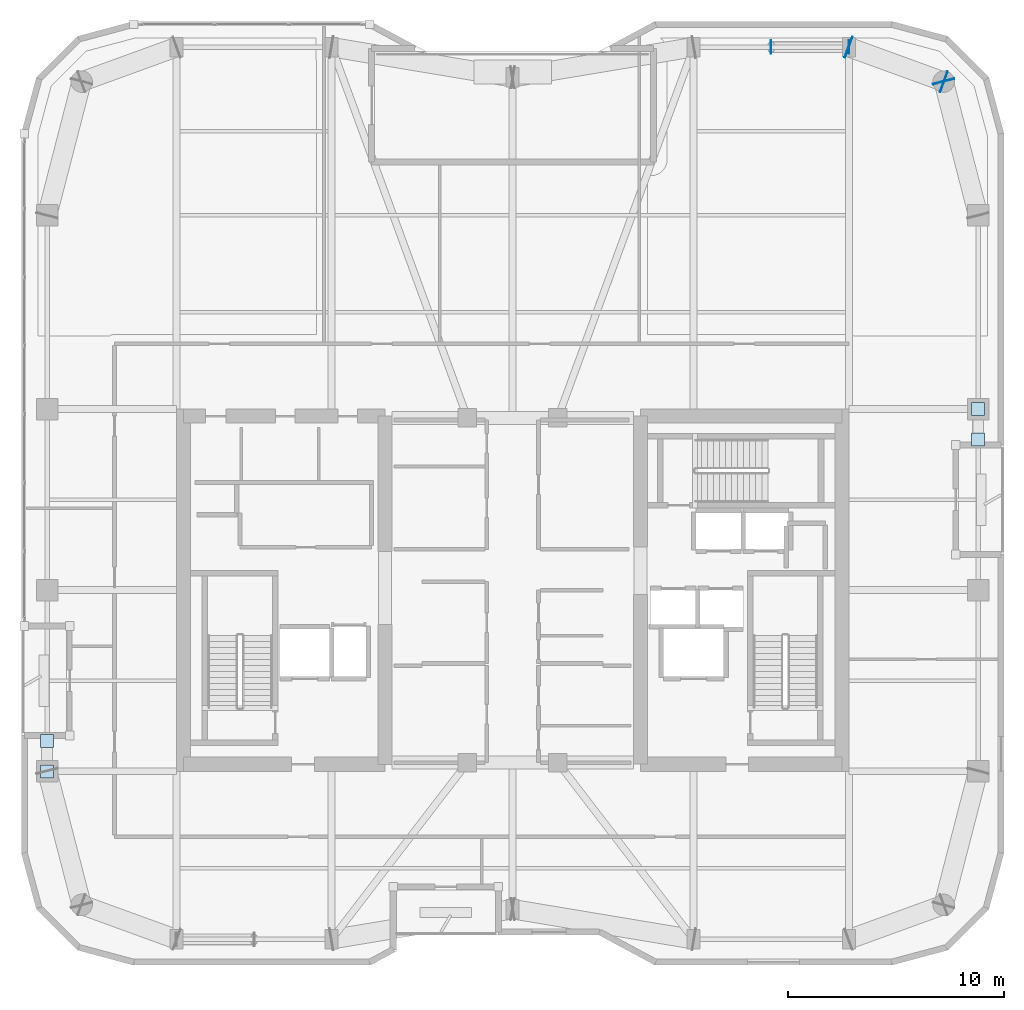
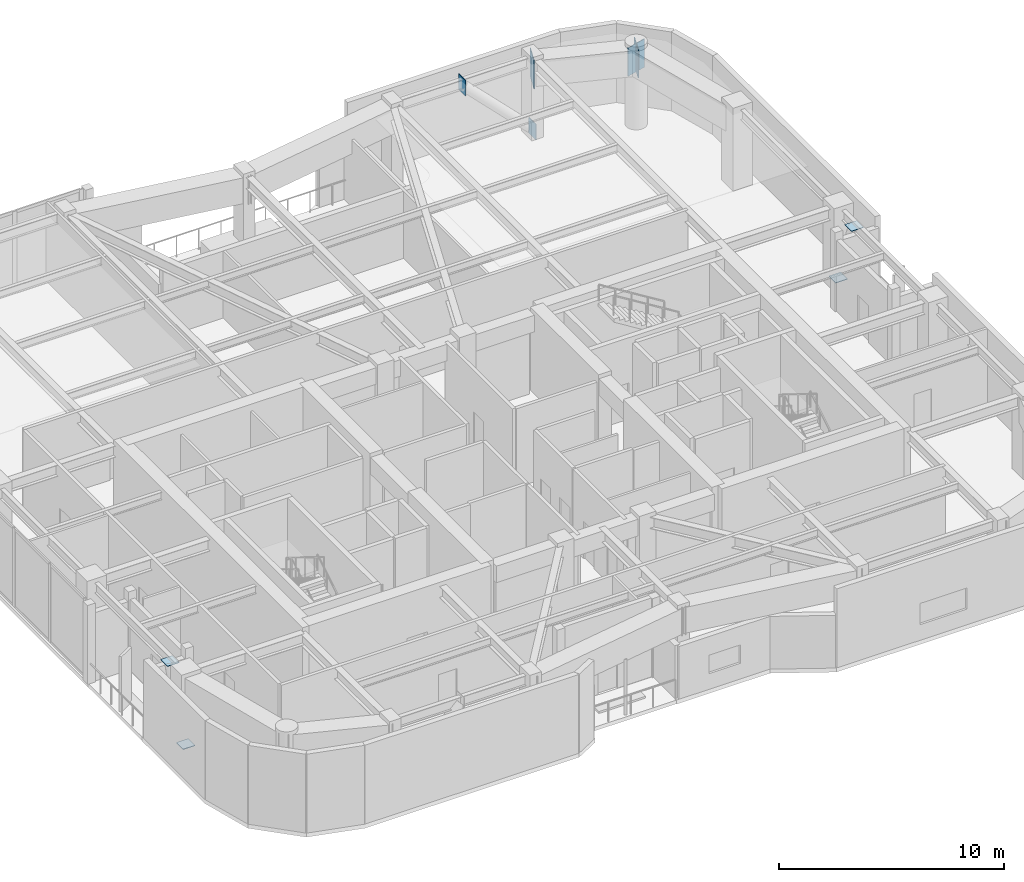
# One storey, part 12 of 19: 9 plates.
"""IFC4 building model written with IfcOpenShell, lengths in metres."""

from ifc_helpers import new_model, si_unit, direction, frame, origin, origin_2d, place, context, subcontext, project, spatial, rectangle, extrude, material, layer, layer_set, type_object, element, save


model = new_model("IFC4")

# Units and contexts
model_context = context("Model", 3, precision=1e-05, world=origin(), true_north=direction((0.0, 1.0)))
body_context = subcontext(model_context, "Body", "Model", "MODEL_VIEW")
ifc_project = project(units=[si_unit("LENGTHUNIT", "METRE"), si_unit("AREAUNIT", "SQUARE_METRE"), si_unit("VOLUMEUNIT", "CUBIC_METRE"), si_unit("PLANEANGLEUNIT", "RADIAN"), si_unit("MASSUNIT", "GRAM", prefix="KILO")], contexts=[model_context])

# Site, building, storey
site_placement = place(None, origin())
site = spatial("IfcSite", under=ifc_project, at=site_placement, CompositionType="ELEMENT")
building_placement = place(site_placement, origin())
building = spatial("IfcBuilding", under=site, at=building_placement, Name="Kiyonajd Concourse Tower", CompositionType="ELEMENT")
storey_placement = place(building_placement, frame((0.0, 0.0, 238.800048828125)))
storey = spatial("IfcBuildingStorey", under=building, at=storey_placement, Name="L60", CompositionType="ELEMENT", Elevation=238.800048828125)

# Plates
ifc_material = material(Name="Steel ASTM A572 Grade 50", Category="steel")
ifc_layer_1 = layer(ifc_material, 0.028076171875)
ifc_layer_set_1 = layer_set([ifc_layer_1], Name="Steel ASTM A572 Grade 50")
plate_type_1 = type_object("IfcPlateType", Name="PL-CAP-450", PredefinedType="USERDEFINED", material=ifc_layer_set_1)
for number, where, z_axis, x_axis, name in (
    (1, (63.607666015625, 61.199951171875, -0.13818359375), (0.0, 0.0, 1.0), (1.0, 0.0, 0.0), "L60 Hollow Brace End Cap Plate PBN"),
    (2, (59.9921875, 61.199951171875, 3.50732421875), (0.0, 0.0, 1.0), (-1.0, 0.0, 0.0), "L60 Hollow Brace Top Cap Plate PBN"),
):
    element("IfcPlate", number, at=place(storey_placement, frame(where, z_axis=z_axis, x_axis=x_axis)), inside=storey, type_object=plate_type_1, Name=name, ObjectType="CAP PLATE", PredefinedType="USERDEFINED", context=body_context, shape_type="SweptSolid", body=[
        extrude(rectangle(XDim=0.035888671875, YDim=0.6279296875, at=origin_2d()), origin(), (0.0, 0.0, 1.0), 0.861083984375),
    ])
for number, where, z_axis, x_axis, name in (
    (3, (26.39990234375, 27.595947265625, 0.275390625), (0.0, 0.0, 1.0), (1.0, 0.0, 0.0), "L60 Hollow Brace End Cap Plate PBW"),
    (4, (26.39990234375, 29.00390625, 3.92626953125), (0.0, 0.0, 1.0), (1.0, 0.0, 0.0), "L60 Hollow Brace Top Cap Plate PBW"),
    (5, (69.60009765625, 44.404052734375, 0.275390625), (0.0, 0.0, 1.0), (1.0, 0.0, 0.0), "L60 Hollow Brace End Cap Plate PBE"),
    (6, (69.60009765625, 42.99609375, 3.92626953125), (0.0, 0.0, 1.0), (1.0, 0.0, 0.0), "L60 Hollow Brace Top Cap Plate PBE"),
):
    element("IfcPlate", number, at=place(storey_placement, frame(where, z_axis=z_axis, x_axis=x_axis)), inside=storey, type_object=plate_type_1, Name=name, ObjectType="CAP PLATE", PredefinedType="USERDEFINED", context=body_context, shape_type="SweptSolid", body=[
        extrude(rectangle(XDim=0.60791015625, YDim=0.60791015625, at=origin_2d()), origin(), (0.0, 0.0, 1.0), 0.028076171875),
    ])
ifc_layer_2 = layer(ifc_material, 0.031982421875)
ifc_layer_set_2 = layer_set([ifc_layer_2], Name="Steel ASTM A572 Grade 50")
plate_type_2 = type_object("IfcPlateType", Name="PL-CAP-540", PredefinedType="USERDEFINED", material=ifc_layer_set_2)
for number, where, z_axis, x_axis, name in (
    (7, (67.997314453125, 59.610595703125, 2.809814453125), (0.0, 0.0, 1.0), (-0.249873048837, 0.968278606324, 0.0), "L60 Welded Box Girder End Cap"),
    (8, (68.01025390625, 59.59619140625, 2.809814453125), (0.0, 0.0, 1.0), (0.939811951086, -0.341692107891, 0.0), "L60 Welded Box Girder End Cap"),
    (9, (63.589599609375, 61.203857421875, 2.809814453125), (0.0, 0.0, 1.0), (-0.939811951086, 0.341692107891, 0.0), "L60 Welded Box Girder End Cap"),
):
    element("IfcPlate", number, at=place(storey_placement, frame(where, z_axis=z_axis, x_axis=x_axis)), inside=storey, type_object=plate_type_2, Name=name, ObjectType="CAP PLATE", PredefinedType="USERDEFINED", context=body_context, shape_type="SweptSolid", body=[
        extrude(rectangle(XDim=0.035888671875, YDim=1.02001953125, at=origin_2d()), origin(), (0.0, 0.0, 1.0), 1.5400390625),
    ])

save(model, "model.ifc")
